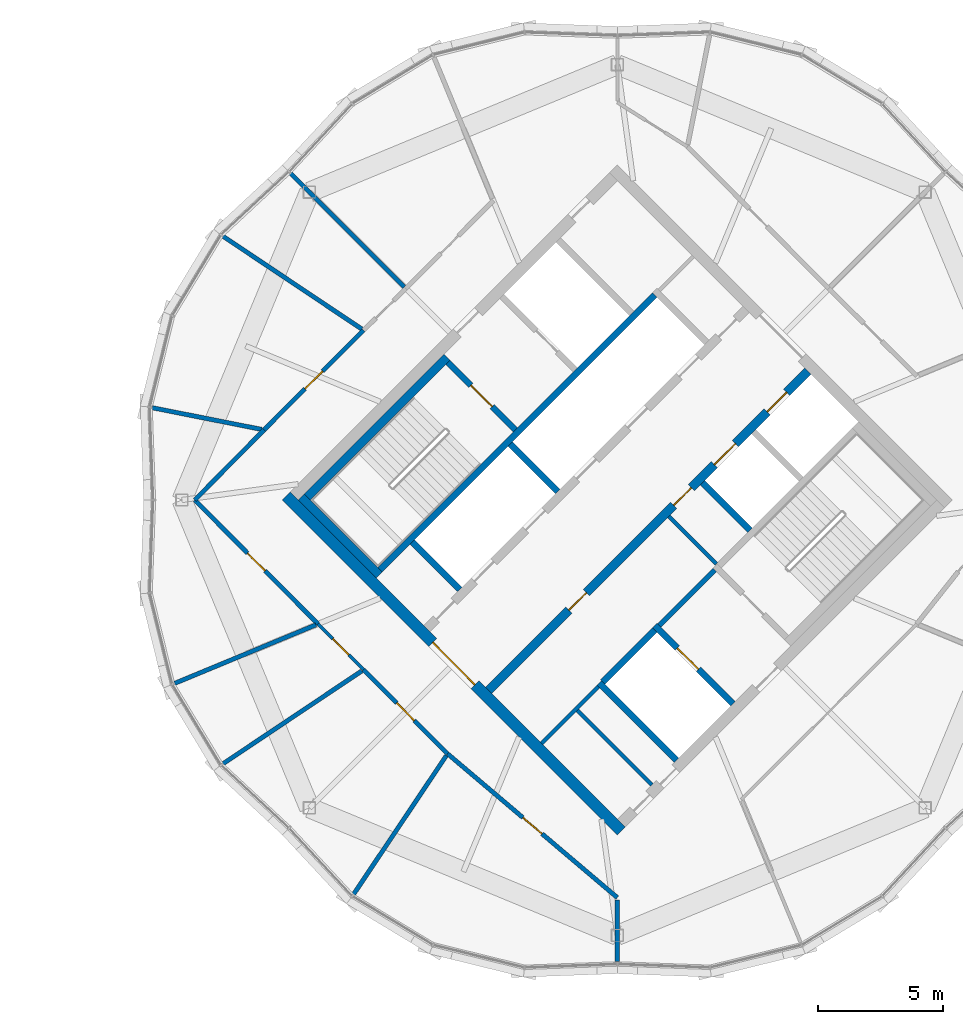
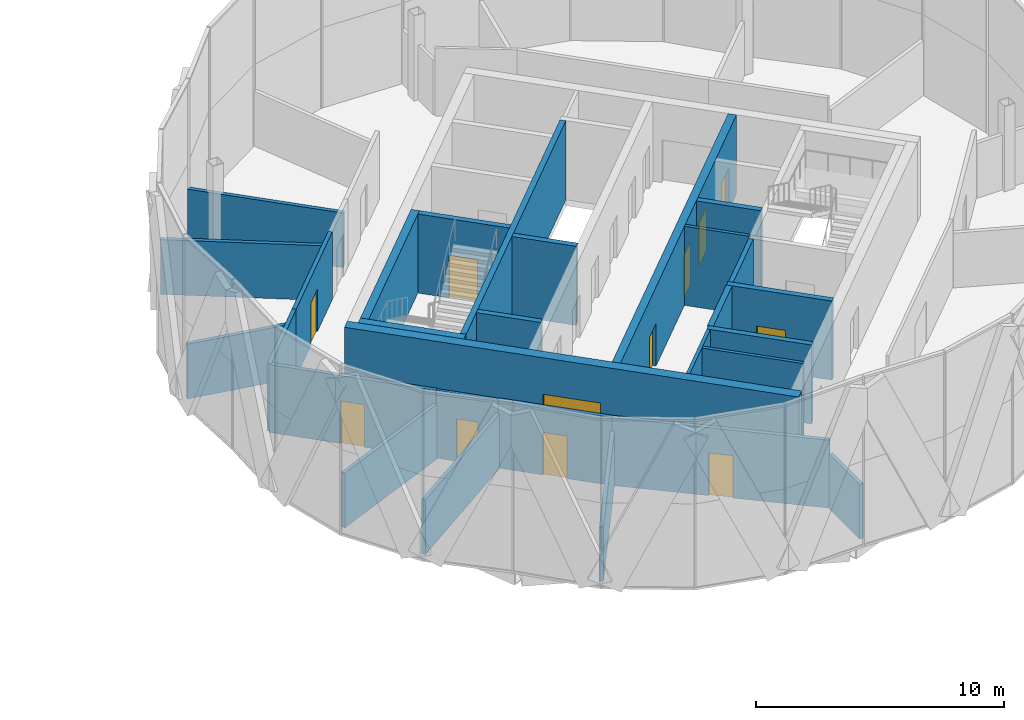
# One storey, part 18 of 24: 29 walls, 12 doors, 12 openings.
"""IFC4 building model written with IfcOpenShell, lengths in metres."""

import ifcopenshell
import ifcopenshell.guid

model = None  # the IFC model being written
_history = None  # IfcOwnerHistory: only IFC2X3 demands one
_inside = {}  # id of a spatial element -> (the spatial element, [elements in it])
_under = {}  # id of a project, library or spatial element -> (it, [spatial elements below it])
_declared = {}  # id of a project -> (the project, [libraries it declares])
_typed = {}  # id of a type object -> (the type object, [elements of that type])
_made_of = {}  # id of a material, layer set ... -> (it, [elements and type objects made of it])


def new_model(schema):
    """Start an empty IFC model of exactly this schema.

    Asked for "IFC4X3", IfcOpenShell would pick the latest addendum, in which some entities
    have other attributes; the version numbers below select the first issue.
    IFC2X3 requires an IfcOwnerHistory on every rooted entity: one is made here for all.
    """
    global model, _history
    if schema == "IFC4X3":
        model = ifcopenshell.file(schema_version=(4, 3, 0, 0))
    else:
        model = ifcopenshell.file(schema=schema)
    _inside.clear()
    _under.clear()
    _declared.clear()
    _typed.clear()
    _made_of.clear()
    _history = None
    if model.schema == "IFC2X3":
        org = make("IfcOrganization", Name="unknown")
        user = make(
            "IfcPersonAndOrganization",
            ThePerson=make("IfcPerson", FamilyName="unknown"),
            TheOrganization=org,
        )
        app = make(
            "IfcApplication",
            ApplicationDeveloper=org,
            Version="unknown",
            ApplicationFullName="unknown",
            ApplicationIdentifier="unknown",
        )
        _history = make(
            "IfcOwnerHistory",
            OwningUser=user,
            OwningApplication=app,
            ChangeAction="ADDED",
            CreationDate=0,
        )
    return model


def make(cls, **values):
    """One entity of the class cls with the attributes given. An attribute that is None is left unset."""
    return model.create_entity(
        cls, **{name: value for name, value in values.items() if value is not None}
    )


def rooted(cls, **values):
    """An entity with a GlobalId (a new one), such as an element, a storey or a relation."""
    return make(cls, GlobalId=ifcopenshell.guid.new(), OwnerHistory=_history, **values)


def si_unit(unit_type, name, prefix=None):
    """IfcSIUnit, for example si_unit("LENGTHUNIT", "METRE", prefix="MILLI")."""
    return make("IfcSIUnit", UnitType=unit_type, Prefix=prefix, Name=name)


def assignment(units):
    """IfcUnitAssignment: the units of a project."""
    return None if units is None else make("IfcUnitAssignment", Units=units)


def point(xyz):
    """IfcCartesianPoint."""
    return None if xyz is None else make("IfcCartesianPoint", Coordinates=xyz)


def direction(xyz):
    """IfcDirection."""
    return None if xyz is None else make("IfcDirection", DirectionRatios=xyz)


def frame(location, z_axis=None, x_axis=None):
    """IfcAxis2Placement3D, a coordinate frame: its origin and axes. An axis left out is left unset."""
    return make(
        "IfcAxis2Placement3D",
        Location=point(location),
        Axis=direction(z_axis),
        RefDirection=direction(x_axis),
    )


def frame_2d(location, x_axis=None):
    """IfcAxis2Placement2D, a coordinate frame in the plane: its origin and x axis."""
    return make(
        "IfcAxis2Placement2D", Location=point(location), RefDirection=direction(x_axis)
    )


def origin():
    """The frame at (0, 0, 0) with its axes left unset."""
    return frame((0.0, 0.0, 0.0))


def place(relative_to, where):
    """IfcLocalPlacement: puts the frame where relative to a parent placement (None: the world)."""
    return make(
        "IfcLocalPlacement", PlacementRelTo=relative_to, RelativePlacement=where
    )


def context(
    kind, dimensions, precision=None, world=None, true_north=None, identifier=None
):
    """IfcGeometricRepresentationContext, for example the 3D "Model" context."""
    return make(
        "IfcGeometricRepresentationContext",
        ContextIdentifier=identifier,
        ContextType=kind,
        CoordinateSpaceDimension=dimensions,
        Precision=precision,
        WorldCoordinateSystem=world,
        TrueNorth=true_north,
    )


def subcontext(parent, identifier, kind, view, scale=None):
    """IfcGeometricRepresentationSubContext, for example "Body" below "Model"."""
    return make(
        "IfcGeometricRepresentationSubContext",
        ContextIdentifier=identifier,
        ContextType=kind,
        ParentContext=parent,
        TargetScale=scale,
        TargetView=view,
    )


def project(units=None, contexts=None):
    """IfcProject with its units and contexts."""
    return rooted(
        "IfcProject",
        Name="project",
        RepresentationContexts=contexts,
        UnitsInContext=assignment(units),
    )


def spatial(cls, under=None, at=None, **own):
    """A site, building, storey or space (cls), placed at a placement, below another one or the project."""
    s = rooted(cls, ObjectPlacement=at, **own)
    if under is not None:
        _under.setdefault(under.id(), (under, []))[1].append(s)
    return s


def profile(cls, at=None, kind="AREA", **sizes):
    """A parametric profile (cls). Its sizes go by their IFC names, for example OverallWidth=200.0."""
    return make(cls, ProfileType=kind, Position=at, **sizes)


def rectangle(**sizes):
    """IfcRectangleProfileDef."""
    return profile("IfcRectangleProfileDef", **sizes)


def extrude(swept, where, along, depth):
    """IfcExtrudedAreaSolid: the profile swept, set in the frame where, extruded along a direction by depth."""
    return make(
        "IfcExtrudedAreaSolid",
        SweptArea=swept,
        Position=where,
        ExtrudedDirection=direction(along),
        Depth=depth,
    )


def shape(context_of_items, identifier, shape_type, items):
    """IfcShapeRepresentation: the items that make up one representation, for example the "Body"."""
    return make(
        "IfcShapeRepresentation",
        ContextOfItems=context_of_items,
        RepresentationIdentifier=identifier,
        RepresentationType=shape_type,
        Items=items,
    )


def material(Name=None, Category=None):
    """IfcMaterial."""
    return make("IfcMaterial", Name=Name, Category=Category)


def layer(
    of_material, thickness, ventilated=None, Name=None, Category=None, Priority=None
):
    """IfcMaterialLayer: one layer of a wall or slab, of a material (None: an air gap)."""
    return make(
        "IfcMaterialLayer",
        Material=of_material,
        LayerThickness=thickness,
        IsVentilated=ventilated,
        Name=Name,
        Category=Category,
        Priority=Priority,
    )


def layer_set(layers, Name=None):
    """IfcMaterialLayerSet."""
    return make("IfcMaterialLayerSet", MaterialLayers=layers, LayerSetName=Name)


def made_of(thing, what):
    """Note that an element or type object is made of a material, layer set ...; save() writes the relation."""
    if what is not None:
        _made_of.setdefault(what.id(), (what, []))[1].append(thing)
    return thing


def type_object(cls, material=None, **own):
    """A type object (cls), such as IfcWallType, which elements share."""
    return made_of(rooted(cls, **own), material)


def element(
    cls,
    number,
    at=None,
    inside=None,
    cuts=None,
    type_object=None,
    material=None,
    context=None,
    identifier="Body",
    shape_type=None,
    held_by="IfcProductDefinitionShape",
    body=None,
    shapes=None,
    **own,
):
    """One element of the class cls, such as IfcWall. Its Tag is "e" and its number.

    at: its placement. inside: the storey or other place that contains it. cuts: it is an
    opening in that element (IfcRelVoidsElement). A single representation is given by context,
    identifier, shape_type and body (its items); several are given by shapes. held_by: the class
    of the entity that holds the representations. save() writes the other relations.
    """
    e = rooted(cls, Tag="e%d" % number, ObjectPlacement=at, **own)
    if body is not None:
        shapes = [shape(context, identifier, shape_type, body)]
    if shapes is not None:
        e.Representation = make(held_by, Representations=shapes)
    if inside is not None:
        _inside.setdefault(inside.id(), (inside, []))[1].append(e)
    if cuts is not None:
        rooted(
            "IfcRelVoidsElement", RelatingBuildingElement=cuts, RelatedOpeningElement=e
        )
    if type_object is not None:
        _typed.setdefault(type_object.id(), (type_object, []))[1].append(e)
    return made_of(e, material)


def fill(opening, filler):
    """IfcRelFillsElement: the door or window that sits in an opening."""
    return rooted(
        "IfcRelFillsElement",
        RelatingOpeningElement=opening,
        RelatedBuildingElement=filler,
    )


def aggregate(whole, parts):
    """IfcRelAggregates: a whole, such as a stair, and the parts it consists of."""
    return rooted("IfcRelAggregates", RelatingObject=whole, RelatedObjects=parts)


def save(model, path):
    """Write the relations noted so far, then the file.

    IfcRelAggregates (storeys below a building ...), IfcRelContainedInSpatialStructure (elements
    in a storey), IfcRelDefinesByType, IfcRelAssociatesMaterial and IfcRelDeclares: one each for
    every whole, place, type object, material and project.
    """
    for whole, parts in _under.values():
        aggregate(whole, parts)
    for where, things in _inside.values():
        rooted(
            "IfcRelContainedInSpatialStructure",
            RelatedElements=things,
            RelatingStructure=where,
        )
    for kind, things in _typed.values():
        rooted("IfcRelDefinesByType", RelatedObjects=things, RelatingType=kind)
    for what, things in _made_of.values():
        rooted("IfcRelAssociatesMaterial", RelatedObjects=things, RelatingMaterial=what)
    for by, libraries in _declared.values():
        rooted("IfcRelDeclares", RelatingContext=by, RelatedDefinitions=libraries)
    model.write(path)


model = new_model("IFC4")

# Units and contexts
model_context = context("Model", 3, precision=1e-05, world=origin(), true_north=direction((0.0, 1.0)))
body_context = subcontext(model_context, "Body", "Model", "MODEL_VIEW")
ifc_project = project(units=[si_unit("LENGTHUNIT", "METRE"), si_unit("AREAUNIT", "SQUARE_METRE"), si_unit("VOLUMEUNIT", "CUBIC_METRE"), si_unit("PLANEANGLEUNIT", "RADIAN"), si_unit("MASSUNIT", "GRAM", prefix="KILO")], contexts=[model_context])

# Site, building, storey
site_placement = place(None, origin())
site = spatial("IfcSite", under=ifc_project, at=site_placement, CompositionType="ELEMENT")
building_placement = place(site_placement, origin())
building = spatial("IfcBuilding", under=site, at=building_placement, Name="Ogive Gate Towers", CompositionType="ELEMENT")
storey_placement = place(building_placement, frame((0.0, 0.0, 277.199951171875)))
storey = spatial("IfcBuildingStorey", under=building, at=storey_placement, Name="L65", CompositionType="ELEMENT", Elevation=277.199951171875)

# Walls
ifc_material_1 = material(Name="Gypsum board acoustic partition")
ifc_layer_1 = layer(ifc_material_1, 0.175048828125)
ifc_layer_set_1 = layer_set([ifc_layer_1], Name="Acoustic partition 175")
wall_type_1 = type_object("IfcWallType", Name="Acoustic partition 175", PredefinedType="PARTITIONING", material=ifc_layer_set_1)
wall_1_placement = place(storey_placement, frame((22.8544921875, 13.1455078125, 0.0), z_axis=(0.0, 0.0, 1.0), x_axis=(0.707106781187, -0.707106781187, 0.0)))
element("IfcWall", 1, at=wall_1_placement, inside=storey, type_object=wall_type_1, Name="Partition T2-L65-007", PredefinedType="PARTITIONING", context=body_context, shape_type="SweptSolid", body=[
    extrude(rectangle(XDim=6.51318359375, YDim=0.175048828125, at=frame_2d((3.256591796875, 0.0))), origin(), (0.0, 0.0, 1.0), 2.699951171875),
])
wall_2_placement = place(storey_placement, frame((20.122314453125, 10.62060546875, 0.0), z_axis=(0.0, 0.0, 1.0), x_axis=(0.831189880974, -0.555988652551, 0.0)))
element("IfcWall", 2, at=wall_2_placement, inside=storey, type_object=wall_type_1, Name="Partition T2-L65-008", PredefinedType="PARTITIONING", context=body_context, shape_type="SweptSolid", body=[
    extrude(rectangle(XDim=6.774169921875, YDim=0.175048828125, at=frame_2d((3.38720703125, 0.0))), origin(), (0.0, 0.0, 1.0), 2.699951171875),
])
wall_3_placement = place(storey_placement, frame((17.35400390625, 3.69921875, 0.0), z_axis=(0.0, 0.0, 1.0), x_axis=(0.980883320756, -0.194596790988, 0.0)))
element("IfcWall", 3, at=wall_3_placement, inside=storey, type_object=wall_type_1, Name="Partition T2-L65-009", PredefinedType="PARTITIONING", context=body_context, shape_type="SweptSolid", body=[
    extrude(rectangle(XDim=4.4814453125, YDim=0.175048828125, at=frame_2d((2.24072265625, 0.0))), origin(), (0.0, 0.0, 1.0), 2.699951171875),
])
wall_4_placement = place(storey_placement, frame((18.252197265625, -7.351318359375, 0.0), z_axis=(0.0, 0.0, 1.0), x_axis=(0.923879494329, 0.382683524544, 0.0)))
element("IfcWall", 4, at=wall_4_placement, inside=storey, type_object=wall_type_1, Name="Partition T2-L65-010", PredefinedType="PARTITIONING", context=body_context, shape_type="SweptSolid", body=[
    extrude(rectangle(XDim=6.131591796875, YDim=0.175048828125, at=frame_2d((3.06591796875, 0.0))), origin(), (0.0, 0.0, 1.0), 2.699951171875),
])
for number, where, z_axis, x_axis, name in (
    (5, (20.122314453125, -10.62060546875, 0.0), (0.0, 0.0, 1.0), (0.831189880974, 0.555988652551, 0.0), "Partition T2-L65-011"),
    (6, (25.37939453125, -15.877685546875, 0.0), (0.0, 0.0, 1.0), (0.555988652551, 0.831189880974, 0.0), "Partition T2-L65-012"),
):
    element("IfcWall", number, at=place(storey_placement, frame(where, z_axis=z_axis, x_axis=x_axis)), inside=storey, type_object=wall_type_1, Name=name, PredefinedType="PARTITIONING", context=body_context, shape_type="SweptSolid", body=[
        extrude(rectangle(XDim=6.774169921875, YDim=0.175048828125, at=frame_2d((3.38720703125, 0.0))), origin(), (0.0, 0.0, 1.0), 2.699951171875),
    ])
wall_5_placement = place(storey_placement, frame((36.0, -18.509033203125, 0.0), z_axis=(0.0, 0.0, 1.0), x_axis=(0.0, 1.0, 0.0)))
element("IfcWall", 7, at=wall_5_placement, inside=storey, type_object=wall_type_1, Name="Partition T2-L65-013", PredefinedType="PARTITIONING", context=body_context, shape_type="SweptSolid", body=[
    extrude(rectangle(XDim=2.4814453125, YDim=0.175048828125, at=frame_2d((1.24072265625, 0.0))), origin(), (0.0, 0.0, 1.0), 2.699951171875),
])

# Wall, opening, door
wall_6_placement = place(storey_placement, frame((25.82568359375, -6.805419921875, 0.0), z_axis=(0.0, 0.0, 1.0), x_axis=(0.707106781187, -0.707106781187, 0.0)))
wall_6 = element("IfcWall", 8, at=wall_6_placement, inside=storey, type_object=wall_type_1, Name="Partition T2-L65-017", PredefinedType="PARTITIONING", context=body_context, shape_type="SweptSolid", body=[
    extrude(rectangle(XDim=4.764404296875, YDim=0.175048828125, at=frame_2d((2.38232421875, 0.0))), origin(), (0.0, 0.0, 1.0), 3.35009765625),
])
opening_1_placement = place(wall_6_placement, frame((1.882080078125, 0.0, 0.0)))
opening_1 = element("IfcOpeningElement", 9, at=opening_1_placement, cuts=wall_6, Name="Opening T2-L65-D02", PredefinedType="OPENING", context=body_context, shape_type="SweptSolid", body=[
    extrude(rectangle(XDim=1.0, YDim=2.10009765625, at=frame_2d((0.5, 1.050048828125))), frame((0.0, 0.09765625, 0.0), z_axis=(0.0, -1.0, 0.0), x_axis=(1.0, 0.0, 0.0)), (0.0, 0.0, 1.0), 0.195068359375),
])
ifc_material_2 = material(Name="Timber door", Category="wood")
door_type_1 = type_object("IfcDoorType", Name="Door 1000", OperationType="NOTDEFINED", PredefinedType="DOOR", material=ifc_material_2)
door_1_placement = place(opening_1_placement, origin())
door_1 = element("IfcDoor", 10, at=door_1_placement, inside=storey, type_object=door_type_1, Name="Door T2-L65-D02", OperationType="SINGLE_SWING_LEFT", OverallHeight=2.10009765625, OverallWidth=1.0, PredefinedType="DOOR", context=body_context, shape_type="SweptSolid", body=[
    extrude(rectangle(XDim=1.0, YDim=2.10009765625, at=frame_2d((0.5, 1.050048828125))), frame((0.0, 0.02490234375, 0.0), z_axis=(0.0, -1.0, 0.0), x_axis=(1.0, 0.0, 0.0)), (0.0, 0.0, 1.0), 0.050048828125),
])
fill(opening_1, door_1)

wall_7_placement = place(storey_placement, frame((29.194580078125, -10.17431640625, 0.0), z_axis=(0.0, 0.0, 1.0), x_axis=(0.762974994931, -0.646427998396, 0.0)))
wall_7 = element("IfcWall", 11, at=wall_7_placement, inside=storey, type_object=wall_type_1, Name="Partition T2-L65-018", PredefinedType="PARTITIONING", context=body_context, shape_type="SweptSolid", body=[
    extrude(rectangle(XDim=8.919677734375, YDim=0.175048828125, at=frame_2d((4.4599609375, 0.0))), origin(), (0.0, 0.0, 1.0), 3.35009765625),
])
opening_2_placement = place(wall_7_placement, frame((3.9599609375, 0.0, 0.0)))
opening_2 = element("IfcOpeningElement", 12, at=opening_2_placement, cuts=wall_7, Name="Opening T2-L65-D03", PredefinedType="OPENING", context=body_context, shape_type="SweptSolid", body=[
    extrude(rectangle(XDim=1.0, YDim=2.10009765625, at=frame_2d((0.5, 1.050048828125))), frame((0.0, 0.09765625, 0.0), z_axis=(0.0, -1.0, 0.0), x_axis=(1.0, 0.0, 0.0)), (0.0, 0.0, 1.0), 0.195068359375),
])
door_2_placement = place(opening_2_placement, origin())
door_2 = element("IfcDoor", 13, at=door_2_placement, inside=storey, type_object=door_type_1, Name="Door T2-L65-D03", OperationType="SINGLE_SWING_LEFT", OverallHeight=2.10009765625, OverallWidth=1.0, PredefinedType="DOOR", context=body_context, shape_type="SweptSolid", body=[
    extrude(rectangle(XDim=1.0, YDim=2.10009765625, at=frame_2d((0.5, 1.050048828125))), frame((0.0, 0.02490234375, 0.0), z_axis=(0.0, -1.0, 0.0), x_axis=(1.0, 0.0, 0.0)), (0.0, 0.0, 1.0), 0.050048828125),
])
fill(opening_2, door_2)

wall_8_placement = place(storey_placement, frame((25.82568359375, 6.805419921875, 0.0), z_axis=(0.0, 0.0, 1.0), x_axis=(-0.706674273643, -0.707539024345, 0.0)))
wall_8 = element("IfcWall", 14, at=wall_8_placement, inside=storey, type_object=wall_type_1, Name="Partition T2-L65-026", PredefinedType="PARTITIONING", context=body_context, shape_type="SweptSolid", body=[
    extrude(rectangle(XDim=5.646484375, YDim=0.175048828125, at=frame_2d((2.8232421875, 0.0))), origin(), (0.0, 0.0, 1.0), 3.35009765625),
])
opening_3_placement = place(wall_8_placement, frame((2.322998046875, 0.0, 0.0)))
opening_3 = element("IfcOpeningElement", 15, at=opening_3_placement, cuts=wall_8, Name="Opening T2-L65-D11", PredefinedType="OPENING", context=body_context, shape_type="SweptSolid", body=[
    extrude(rectangle(XDim=1.0, YDim=2.10009765625, at=frame_2d((0.5, 1.050048828125))), frame((0.0, 0.09765625, 0.0), z_axis=(0.0, -1.0, 0.0), x_axis=(1.0, 0.0, 0.0)), (0.0, 0.0, 1.0), 0.195068359375),
])
door_3_placement = place(opening_3_placement, origin())
door_3 = element("IfcDoor", 16, at=door_3_placement, inside=storey, type_object=door_type_1, Name="Door T2-L65-D11", OperationType="SINGLE_SWING_LEFT", OverallHeight=2.10009765625, OverallWidth=1.0, PredefinedType="DOOR", context=body_context, shape_type="SweptSolid", body=[
    extrude(rectangle(XDim=1.0, YDim=2.10009765625, at=frame_2d((0.5, 1.050048828125))), frame((0.0, 0.02490234375, 0.0), z_axis=(0.0, -1.0, 0.0), x_axis=(1.0, 0.0, 0.0)), (0.0, 0.0, 1.0), 0.050048828125),
])
fill(opening_3, door_3)

wall_9_placement = place(storey_placement, frame((19.0576171875, 0.0, 0.0), z_axis=(0.0, 0.0, 1.0), x_axis=(0.704873865786, -0.709332667605, 0.0)))
wall_9 = element("IfcWall", 17, at=wall_9_placement, inside=storey, type_object=wall_type_1, Name="Partition T2-L65-027", PredefinedType="PARTITIONING", context=body_context, shape_type="SweptSolid", body=[
    extrude(rectangle(XDim=7.008544921875, YDim=0.175048828125, at=frame_2d((3.50439453125, 0.0))), origin(), (0.0, 0.0, 1.0), 3.35009765625),
])
opening_4_placement = place(wall_9_placement, frame((3.00390625, 0.0, 0.0)))
opening_4 = element("IfcOpeningElement", 18, at=opening_4_placement, cuts=wall_9, Name="Opening T2-L65-D12", PredefinedType="OPENING", context=body_context, shape_type="SweptSolid", body=[
    extrude(rectangle(XDim=1.0, YDim=2.10009765625, at=frame_2d((0.5, 1.050048828125))), frame((0.0, 0.09765625, 0.0), z_axis=(0.0, -1.0, 0.0), x_axis=(1.0, 0.0, 0.0)), (0.0, 0.0, 1.0), 0.195068359375),
])
door_4_placement = place(opening_4_placement, origin())
door_4 = element("IfcDoor", 19, at=door_4_placement, inside=storey, type_object=door_type_1, Name="Door T2-L65-D12", OperationType="SINGLE_SWING_LEFT", OverallHeight=2.10009765625, OverallWidth=1.0, PredefinedType="DOOR", context=body_context, shape_type="SweptSolid", body=[
    extrude(rectangle(XDim=1.0, YDim=2.10009765625, at=frame_2d((0.5, 1.050048828125))), frame((0.0, 0.02490234375, 0.0), z_axis=(0.0, -1.0, 0.0), x_axis=(1.0, 0.0, 0.0)), (0.0, 0.0, 1.0), 0.050048828125),
])
fill(opening_4, door_4)

# Walls
wall_10_placement = place(storey_placement, frame((21.83544921875, 2.810302734375, 0.0), z_axis=(0.0, 0.0, 1.0), x_axis=(-0.702986162579, -0.711203525879, 0.0)))
element("IfcWall", 20, at=wall_10_placement, inside=storey, type_object=wall_type_1, Name="Partition T2-L65-028", PredefinedType="PARTITIONING", context=body_context, shape_type="SweptSolid", body=[
    extrude(rectangle(XDim=3.951416015625, YDim=0.175048828125, at=frame_2d((1.9755859375, 0.0))), origin(), (0.0, 0.0, 1.0), 3.35009765625),
])
ifc_material_3 = material(Name="Masonry blockwork", Category="masonry")
ifc_layer_2 = layer(ifc_material_3, 0.199951171875)
ifc_layer_set_2 = layer_set([ifc_layer_2], Name="Blockwork wall 200 mm")
wall_type_2 = type_object("IfcWallType", Name="Blockwork wall 200 mm", PredefinedType="PARTITIONING", material=ifc_layer_set_2)
wall_11_placement = place(storey_placement, frame((37.679443359375, -5.0380859375, 0.0), z_axis=(0.0, 0.0, 1.0), x_axis=(0.707106781187, 0.707106781187, 0.0)))
element("IfcWall", 21, at=wall_11_placement, inside=storey, type_object=wall_type_2, Name="T2 L65 Blockwork wall 200 mm", PredefinedType="PARTITIONING", context=body_context, shape_type="SweptSolid", body=[
    extrude(rectangle(XDim=3.14990234375, YDim=0.199951171875, at=frame_2d((1.574951171875, 0.0))), origin(), (0.0, 0.0, 1.0), 3.900146484375),
])

# Wall, opening, door
ifc_material_4 = material(Name="Concrete C60/75", Category="concrete")
ifc_layer_3 = layer(ifc_material_4, 0.449951171875)
ifc_layer_set_3 = layer_set([ifc_layer_3], Name="Core wall 450 mm")
wall_type_3 = type_object("IfcWallType", Name="Core wall 450 mm", PredefinedType="SHEAR", material=ifc_layer_set_3)
wall_12_placement = place(storey_placement, frame((36.1591796875, -13.27587890625, 0.0), z_axis=(0.0, 0.0, 1.0), x_axis=(-0.707106781187, 0.707106781187, 0.0)))
wall_12 = element("IfcWall", 22, at=wall_12_placement, inside=storey, type_object=wall_type_3, Name="T2 L65 Core wall 450 mm", PredefinedType="SHEAR", context=body_context, shape_type="SweptSolid", body=[
    extrude(rectangle(XDim=19.0, YDim=0.449951171875, at=frame_2d((9.5, 0.0))), origin(), (0.0, 0.0, 1.0), 3.900146484375),
])
opening_5_placement = place(wall_12_placement, frame((8.300048828125, 0.0, 0.0)))
opening_5 = element("IfcOpeningElement", 23, at=opening_5_placement, cuts=wall_12, Name="Opening KD-T2-L65-01", PredefinedType="OPENING", context=body_context, shape_type="SweptSolid", body=[
    extrude(rectangle(XDim=2.39990234375, YDim=2.10009765625, at=frame_2d((1.199951171875, 1.050048828125))), frame((0.0, 0.23486328125, 0.0), z_axis=(0.0, -1.0, 0.0), x_axis=(1.0, 0.0, 0.0)), (0.0, 0.0, 1.0), 0.469970703125),
])
ifc_material_5 = material(Name="Steel fire door", Category="steel")
door_type_2 = type_object("IfcDoorType", Name="Core double door FD60S 2400 x 2100", OperationType="DOUBLE_DOOR_SINGLE_SWING", PredefinedType="DOOR", material=ifc_material_5)
door_5_placement = place(opening_5_placement, origin())
door_5 = element("IfcDoor", 24, at=door_5_placement, inside=storey, type_object=door_type_2, Name="T2 L65 Core door double", OperationType="DOUBLE_DOOR_SINGLE_SWING", OverallHeight=2.10009765625, OverallWidth=2.39990234375, PredefinedType="DOOR", context=body_context, shape_type="SweptSolid", body=[
    extrude(rectangle(XDim=2.39990234375, YDim=2.10009765625, at=frame_2d((1.199951171875, 1.050048828125))), frame((0.0, 0.02490234375, 0.0), z_axis=(0.0, -1.0, 0.0), x_axis=(1.0, 0.0, 0.0)), (0.0, 0.0, 1.0), 0.050048828125),
])
fill(opening_5, door_5)

ifc_material_6 = material(Name="Gypsum board partition")
ifc_layer_4 = layer(ifc_material_6, 0.125)
ifc_layer_set_4 = layer_set([ifc_layer_4], Name="Partition 125")
wall_type_4 = type_object("IfcWallType", Name="Partition 125", PredefinedType="PARTITIONING", material=ifc_layer_set_4)
wall_13_placement = place(storey_placement, frame((23.997802734375, -4.971435546875, 0.0), z_axis=(0.0, 0.0, 1.0), x_axis=(0.705927210727, -0.708284387202, 0.0)))
wall_13 = element("IfcWall", 25, at=wall_13_placement, inside=storey, type_object=wall_type_4, Name="Partition T2-L65-016", PredefinedType="PARTITIONING", context=body_context, shape_type="SweptSolid", body=[
    extrude(rectangle(XDim=2.58935546875, YDim=0.125, at=frame_2d((1.294677734375, 0.0))), origin(), (0.0, 0.0, 1.0), 3.35009765625),
])
opening_6_placement = place(wall_13_placement, frame((0.844970703125, 0.0, 0.0)))
opening_6 = element("IfcOpeningElement", 26, at=opening_6_placement, cuts=wall_13, Name="Opening T2-L65-D01", PredefinedType="OPENING", context=body_context, shape_type="SweptSolid", body=[
    extrude(rectangle(XDim=0.89990234375, YDim=2.10009765625, at=frame_2d((0.449951171875, 1.050048828125))), frame((0.0, 0.072509765625, 0.0), z_axis=(0.0, -1.0, 0.0), x_axis=(1.0, 0.0, 0.0)), (0.0, 0.0, 1.0), 0.14501953125),
])
door_type_3 = type_object("IfcDoorType", Name="Door 900", OperationType="NOTDEFINED", PredefinedType="DOOR", material=ifc_material_2)
door_6_placement = place(opening_6_placement, origin())
door_6 = element("IfcDoor", 27, at=door_6_placement, inside=storey, type_object=door_type_3, Name="Door T2-L65-D01", OperationType="SINGLE_SWING_LEFT", OverallHeight=2.10009765625, OverallWidth=0.89990234375, PredefinedType="DOOR", context=body_context, shape_type="SweptSolid", body=[
    extrude(rectangle(XDim=0.89990234375, YDim=2.10009765625, at=frame_2d((0.449951171875, 1.050048828125))), frame((0.0, 0.02490234375, 0.0), z_axis=(0.0, -1.0, 0.0), x_axis=(1.0, 0.0, 0.0)), (0.0, 0.0, 1.0), 0.050048828125),
])
fill(opening_6, door_6)

# Walls
ifc_layer_5 = layer(ifc_material_6, 0.14990234375)
ifc_layer_set_5 = layer_set([ifc_layer_5], Name="Room partition 150 mm")
wall_type_5 = type_object("IfcWallType", Name="Room partition 150 mm", PredefinedType="PARTITIONING", material=ifc_layer_set_5)
wall_14_placement = place(storey_placement, frame((32.95947265625, -9.758056640625, 0.0), z_axis=(0.0, 0.0, 1.0), x_axis=(0.707144631829, 0.707068928518, 0.0)))
element("IfcWall", 28, at=wall_14_placement, inside=storey, type_object=wall_type_5, Name="T2 L65 Room partition 150 mm", PredefinedType="PARTITIONING", context=body_context, shape_type="SweptSolid", body=[
    extrude(rectangle(XDim=3.224853515625, YDim=0.14990234375, at=frame_2d((1.6123046875, 0.0))), origin(), (0.0, 0.0, 1.0), 3.900146484375),
])
wall_15_placement = place(storey_placement, frame((37.37890625, -11.419921875, 0.0), z_axis=(0.0, 0.0, 1.0), x_axis=(-0.707077889614, 0.707135671578, 0.0)))
element("IfcWall", 29, at=wall_15_placement, inside=storey, type_object=wall_type_5, Name="T2 L65 Room partition 150 mm", PredefinedType="PARTITIONING", context=body_context, shape_type="SweptSolid", body=[
    extrude(rectangle(XDim=4.22509765625, YDim=0.14990234375, at=frame_2d((2.112548828125, 0.0))), origin(), (0.0, 0.0, 1.0), 3.900146484375),
])
wall_16_placement = place(storey_placement, frame((39.9775390625, -2.563232421875, 0.0), z_axis=(0.0, 0.0, 1.0), x_axis=(-0.707106781187, 0.707106781187, 0.0)))
element("IfcWall", 30, at=wall_16_placement, inside=storey, type_object=wall_type_5, Name="T2 L65 Room partition 150 mm", PredefinedType="PARTITIONING", context=body_context, shape_type="SweptSolid", body=[
    extrude(rectangle(XDim=2.699951171875, YDim=0.14990234375, at=frame_2d((1.35009765625, 0.0))), origin(), (0.0, 0.0, 1.0), 3.900146484375),
])
ifc_layer_6 = layer(ifc_material_4, 0.25)
ifc_layer_set_6 = layer_set([ifc_layer_6], Name="Shaft wall 250 mm")
wall_type_6 = type_object("IfcWallType", Name="Shaft wall 250 mm", PredefinedType="SHEAR", material=ifc_layer_set_6)
wall_17_placement = place(storey_placement, frame((35.41650390625, -7.30078125, 0.0), z_axis=(0.0, 0.0, 1.0), x_axis=(0.707148157867, 0.707065402085, 0.0)))
element("IfcWall", 31, at=wall_17_placement, inside=storey, type_object=wall_type_6, Name="T2 L65 Shaft wall 250 mm", PredefinedType="SHEAR", context=body_context, shape_type="SweptSolid", body=[
    extrude(rectangle(XDim=2.9501953125, YDim=0.25, at=frame_2d((1.47509765625, 0.0))), origin(), (0.0, 0.0, 1.0), 3.900146484375),
])
wall_18_placement = place(storey_placement, frame((26.489501953125, -2.793212890625, 0.0), z_axis=(0.0, 0.0, 1.0), x_axis=(0.707098943647, 0.70711461864, 0.0)))
element("IfcWall", 32, at=wall_18_placement, inside=storey, type_object=wall_type_6, Name="T2 L65 Shaft wall 250 mm", PredefinedType="SHEAR", context=body_context, shape_type="SweptSolid", body=[
    extrude(rectangle(XDim=15.5751953125, YDim=0.25, at=frame_2d((7.78759765625, 0.0))), origin(), (0.0, 0.0, 1.0), 3.900146484375),
])
wall_19_placement = place(storey_placement, frame((29.689208984375, -3.588623046875, 0.0), z_axis=(0.0, 0.0, 1.0), x_axis=(-0.707151988282, 0.707061571201, 0.0)))
element("IfcWall", 33, at=wall_19_placement, inside=storey, type_object=wall_type_6, Name="T2 L65 Shaft wall 250 mm", PredefinedType="SHEAR", context=body_context, shape_type="SweptSolid", body=[
    extrude(rectangle(XDim=2.7001953125, YDim=0.25, at=frame_2d((1.35009765625, 0.0))), origin(), (0.0, 0.0, 1.0), 3.900146484375),
])
wall_20_placement = place(storey_placement, frame((38.368896484375, -10.4296875, 0.0), z_axis=(0.0, 0.0, 1.0), x_axis=(-0.707134682099, 0.707078879173, 0.0)))
element("IfcWall", 34, at=wall_20_placement, inside=storey, type_object=wall_type_6, Name="T2 L65 Shaft wall 250 mm", PredefinedType="SHEAR", context=body_context, shape_type="SweptSolid", body=[
    extrude(rectangle(XDim=4.375, YDim=0.25, at=frame_2d((2.1875, 0.0))), origin(), (0.0, 0.0, 1.0), 3.900146484375),
])

# Wall, opening, door
wall_21_placement = place(storey_placement, frame((40.631591796875, -8.1669921875, 0.0), z_axis=(0.0, 0.0, 1.0), x_axis=(-0.707106781187, 0.707106781187, 0.0)))
wall_21 = element("IfcWall", 35, at=wall_21_placement, inside=storey, type_object=wall_type_6, Name="T2 L65 Shaft wall 250 mm", PredefinedType="SHEAR", context=body_context, shape_type="SweptSolid", body=[
    extrude(rectangle(XDim=4.425048828125, YDim=0.25, at=frame_2d((2.21240234375, 0.0))), origin(), (0.0, 0.0, 1.0), 3.900146484375),
])
opening_7_placement = place(wall_21_placement, frame((1.949951171875, 0.0, 0.0)))
opening_7 = element("IfcOpeningElement", 36, at=opening_7_placement, cuts=wall_21, Name="Opening LD-T2-L65-13", PredefinedType="OPENING", context=body_context, shape_type="SweptSolid", body=[
    extrude(rectangle(XDim=1.199951171875, YDim=2.10009765625, at=frame_2d((0.60009765625, 1.050048828125))), frame((0.0, 0.135009765625, 0.0), z_axis=(0.0, -1.0, 0.0), x_axis=(1.0, 0.0, 0.0)), (0.0, 0.0, 1.0), 0.27001953125),
])
ifc_material_7 = material(Name="Stainless steel landing door", Category="steel")
door_type_4 = type_object("IfcDoorType", Name="Landing door 1200 x 2100", OperationType="SLIDING_TO_LEFT", PredefinedType="DOOR", material=ifc_material_7)
door_7_placement = place(opening_7_placement, origin())
door_7 = element("IfcDoor", 37, at=door_7_placement, inside=storey, type_object=door_type_4, Name="T2 L65 Lift landing door FF2", OperationType="SLIDING_TO_LEFT", OverallHeight=2.10009765625, OverallWidth=1.199951171875, PredefinedType="DOOR", context=body_context, shape_type="SweptSolid", body=[
    extrude(rectangle(XDim=1.199951171875, YDim=2.10009765625, at=frame_2d((0.60009765625, 1.050048828125))), frame((0.0, 0.02490234375, 0.0), z_axis=(0.0, -1.0, 0.0), x_axis=(1.0, 0.0, 0.0)), (0.0, 0.0, 1.0), 0.050048828125),
])
fill(opening_7, door_7)

# Wall
wall_22_placement = place(storey_placement, frame((33.613525390625, 0.3359375, 0.0), z_axis=(0.0, 0.0, 1.0), x_axis=(-0.707106781187, 0.707106781187, 0.0)))
element("IfcWall", 38, at=wall_22_placement, inside=storey, type_object=wall_type_6, Name="T2 L65 Shaft wall 250 mm", PredefinedType="SHEAR", context=body_context, shape_type="SweptSolid", body=[
    extrude(rectangle(XDim=2.699951171875, YDim=0.25, at=frame_2d((1.35009765625, 0.0))), origin(), (0.0, 0.0, 1.0), 3.900146484375),
])

# Wall, opening, door
wall_23_placement = place(storey_placement, frame((31.91650390625, 2.810791015625, 0.0), z_axis=(0.0, 0.0, 1.0), x_axis=(-0.707106781187, 0.707106781187, 0.0)))
wall_23 = element("IfcWall", 39, at=wall_23_placement, inside=storey, type_object=wall_type_6, Name="T2 L65 Shaft wall 250 mm", PredefinedType="SHEAR", context=body_context, shape_type="SweptSolid", body=[
    extrude(rectangle(XDim=3.824951171875, YDim=0.25, at=frame_2d((1.91259765625, 0.0))), origin(), (0.0, 0.0, 1.0), 3.900146484375),
])
opening_8_placement = place(wall_23_placement, frame((1.324951171875, 0.0, 0.0)))
opening_8 = element("IfcOpeningElement", 40, at=opening_8_placement, cuts=wall_23, Name="Opening KD-T2-L65-16", PredefinedType="OPENING", context=body_context, shape_type="SweptSolid", body=[
    extrude(rectangle(XDim=1.199951171875, YDim=2.10009765625, at=frame_2d((0.60009765625, 1.050048828125))), frame((0.0, 0.135009765625, 0.0), z_axis=(0.0, -1.0, 0.0), x_axis=(1.0, 0.0, 0.0)), (0.0, 0.0, 1.0), 0.27001953125),
])
door_type_5 = type_object("IfcDoorType", Name="Core door FD60S 1200 x 2100", OperationType="NOTDEFINED", PredefinedType="DOOR", material=ifc_material_5)
door_8_placement = place(opening_8_placement, origin())
door_8 = element("IfcDoor", 41, at=door_8_placement, inside=storey, type_object=door_type_5, Name="T2 L65 Stair door", OperationType="SINGLE_SWING_LEFT", OverallHeight=2.10009765625, OverallWidth=1.199951171875, PredefinedType="DOOR", context=body_context, shape_type="SweptSolid", body=[
    extrude(rectangle(XDim=1.199951171875, YDim=2.10009765625, at=frame_2d((0.60009765625, 1.050048828125))), frame((0.0, 0.02490234375, 0.0), z_axis=(0.0, -1.0, 0.0), x_axis=(1.0, 0.0, 0.0)), (0.0, 0.0, 1.0), 0.050048828125),
])
fill(opening_8, door_8)

# Wall
wall_24_placement = place(storey_placement, frame((41.321044921875, -1.2197265625, 0.0), z_axis=(0.0, 0.0, 1.0), x_axis=(-0.707106781187, 0.707106781187, 0.0)))
element("IfcWall", 42, at=wall_24_placement, inside=storey, type_object=wall_type_6, Name="T2 L65 Shaft wall 250 mm", PredefinedType="SHEAR", context=body_context, shape_type="SweptSolid", body=[
    extrude(rectangle(XDim=2.699951171875, YDim=0.25, at=frame_2d((1.35009765625, 0.0))), origin(), (0.0, 0.0, 1.0), 3.900146484375),
])

# Wall, openings, doors
ifc_layer_7 = layer(ifc_material_4, 0.35009765625)
ifc_layer_set_7 = layer_set([ifc_layer_7], Name="Spine wall 350 mm")
wall_type_7 = type_object("IfcWallType", Name="Spine wall 350 mm", PredefinedType="SHEAR", material=ifc_layer_set_7)
wall_25_placement = place(storey_placement, frame((30.838134765625, -7.63671875, 0.0), z_axis=(0.0, 0.0, 1.0), x_axis=(0.707106781187, 0.707106781187, 0.0)))
wall_25 = element("IfcWall", 43, at=wall_25_placement, inside=storey, type_object=wall_type_7, Name="T2 L65 Spine wall 350 mm", PredefinedType="SHEAR", context=body_context, shape_type="SweptSolid", body=[
    extrude(rectangle(XDim=18.099853515625, YDim=0.35009765625, at=frame_2d((9.0498046875, 0.0))), origin(), (0.0, 0.0, 1.0), 3.900146484375),
])
opening_9_placement = place(wall_25_placement, frame((12.800048828125, 0.0, 0.0)))
opening_9 = element("IfcOpeningElement", 44, at=opening_9_placement, cuts=wall_25, Name="Opening LD-T2-L65-10", PredefinedType="OPENING", context=body_context, shape_type="SweptSolid", body=[
    extrude(rectangle(XDim=1.199951171875, YDim=2.10009765625, at=frame_2d((0.60009765625, 1.050048828125))), frame((0.0, 0.18505859375, 0.0), z_axis=(0.0, -1.0, 0.0), x_axis=(1.0, 0.0, 0.0)), (0.0, 0.0, 1.0), 0.3701171875),
])
opening_10_placement = place(wall_25_placement, frame((15.800048828125, 0.0, 0.0)))
opening_10 = element("IfcOpeningElement", 45, at=opening_10_placement, cuts=wall_25, Name="Opening LD-T2-L65-11", PredefinedType="OPENING", context=body_context, shape_type="SweptSolid", body=[
    extrude(rectangle(XDim=1.10009765625, YDim=2.10009765625, at=frame_2d((0.550048828125, 1.050048828125))), frame((0.0, 0.18505859375, 0.0), z_axis=(0.0, -1.0, 0.0), x_axis=(1.0, 0.0, 0.0)), (0.0, 0.0, 1.0), 0.3701171875),
])
opening_11_placement = place(wall_25_placement, frame((4.550048828125, 0.0, 0.0)))
opening_11 = element("IfcOpeningElement", 46, at=opening_11_placement, cuts=wall_25, Name="Opening KD-T2-L65-14", PredefinedType="OPENING", context=body_context, shape_type="SweptSolid", body=[
    extrude(rectangle(XDim=1.0, YDim=2.10009765625, at=frame_2d((0.5, 1.050048828125))), frame((0.0, 0.18505859375, 0.0), z_axis=(0.0, -1.0, 0.0), x_axis=(1.0, 0.0, 0.0)), (0.0, 0.0, 1.0), 0.3701171875),
])
opening_12_placement = place(wall_25_placement, frame((10.5, 0.0, 0.0)))
opening_12 = element("IfcOpeningElement", 47, at=opening_12_placement, cuts=wall_25, Name="Opening KD-T2-L65-15", PredefinedType="OPENING", context=body_context, shape_type="SweptSolid", body=[
    extrude(rectangle(XDim=1.0, YDim=2.10009765625, at=frame_2d((0.5, 1.050048828125))), frame((0.0, 0.18505859375, 0.0), z_axis=(0.0, -1.0, 0.0), x_axis=(1.0, 0.0, 0.0)), (0.0, 0.0, 1.0), 0.3701171875),
])
door_type_6 = type_object("IfcDoorType", Name="Core door FD60S 1000 x 2100", OperationType="NOTDEFINED", PredefinedType="DOOR", material=ifc_material_5)
door_9_placement = place(opening_11_placement, origin())
door_9 = element("IfcDoor", 48, at=door_9_placement, inside=storey, type_object=door_type_6, Name="T2 L65 Core door", OperationType="SINGLE_SWING_LEFT", OverallHeight=2.10009765625, OverallWidth=1.0, PredefinedType="DOOR", context=body_context, shape_type="SweptSolid", body=[
    extrude(rectangle(XDim=1.0, YDim=2.10009765625, at=frame_2d((0.5, 1.050048828125))), frame((0.0, 0.02490234375, 0.0), z_axis=(0.0, -1.0, 0.0), x_axis=(1.0, 0.0, 0.0)), (0.0, 0.0, 1.0), 0.050048828125),
])
fill(opening_11, door_9)
door_10_placement = place(opening_12_placement, origin())
door_10 = element("IfcDoor", 49, at=door_10_placement, inside=storey, type_object=door_type_6, Name="T2 L65 Core door", OperationType="SINGLE_SWING_RIGHT", OverallHeight=2.10009765625, OverallWidth=1.0, PredefinedType="DOOR", context=body_context, shape_type="SweptSolid", body=[
    extrude(rectangle(XDim=1.0, YDim=2.10009765625, at=frame_2d((0.5, 1.050048828125))), frame((0.0, 0.02490234375, 0.0), z_axis=(0.0, -1.0, 0.0), x_axis=(1.0, 0.0, 0.0)), (0.0, 0.0, 1.0), 0.050048828125),
])
fill(opening_12, door_10)
door_type_7 = type_object("IfcDoorType", Name="Landing door 1100 x 2100", OperationType="SLIDING_TO_LEFT", PredefinedType="DOOR", material=ifc_material_7)
door_11_placement = place(opening_10_placement, origin())
door_11 = element("IfcDoor", 50, at=door_11_placement, inside=storey, type_object=door_type_7, Name="T2 L65 Lift landing door B6", OperationType="SLIDING_TO_LEFT", OverallHeight=2.10009765625, OverallWidth=1.10009765625, PredefinedType="DOOR", context=body_context, shape_type="SweptSolid", body=[
    extrude(rectangle(XDim=1.10009765625, YDim=2.10009765625, at=frame_2d((0.550048828125, 1.050048828125))), frame((0.0, 0.02490234375, 0.0), z_axis=(0.0, -1.0, 0.0), x_axis=(1.0, 0.0, 0.0)), (0.0, 0.0, 1.0), 0.050048828125),
])
fill(opening_10, door_11)
door_12_placement = place(opening_9_placement, origin())
door_12 = element("IfcDoor", 51, at=door_12_placement, inside=storey, type_object=door_type_4, Name="T2 L65 Lift landing door SVC", OperationType="SLIDING_TO_LEFT", OverallHeight=2.10009765625, OverallWidth=1.199951171875, PredefinedType="DOOR", context=body_context, shape_type="SweptSolid", body=[
    extrude(rectangle(XDim=1.199951171875, YDim=2.10009765625, at=frame_2d((0.60009765625, 1.050048828125))), frame((0.0, 0.02490234375, 0.0), z_axis=(0.0, -1.0, 0.0), x_axis=(1.0, 0.0, 0.0)), (0.0, 0.0, 1.0), 0.050048828125),
])
fill(opening_9, door_12)

# Walls
ifc_layer_8 = layer(ifc_material_4, 0.35009765625)
ifc_layer_set_8 = layer_set([ifc_layer_8], Name="Stair wall 350 mm")
wall_type_8 = type_object("IfcWallType", Name="Stair wall 350 mm", PredefinedType="SHEAR", material=ifc_layer_set_8)
wall_26_placement = place(storey_placement, frame((23.572509765625, 0.123779296875, 0.0), z_axis=(0.0, 0.0, 1.0), x_axis=(0.707122184046, 0.707091377991, 0.0)))
element("IfcWall", 52, at=wall_26_placement, inside=storey, type_object=wall_type_8, Name="T2 L65 Stair wall 350 mm", PredefinedType="SHEAR", context=body_context, shape_type="SweptSolid", body=[
    extrude(rectangle(XDim=7.925048828125, YDim=0.35009765625, at=frame_2d((3.96240234375, 0.0))), origin(), (0.0, 0.0, 1.0), 3.900146484375),
])
wall_27_placement = place(storey_placement, frame((26.4541015625, -3.005126953125, 0.0), z_axis=(0.0, 0.0, 1.0), x_axis=(-0.707106781187, 0.707106781187, 0.0)))
element("IfcWall", 53, at=wall_27_placement, inside=storey, type_object=wall_type_8, Name="T2 L65 Stair wall 350 mm", PredefinedType="SHEAR", context=body_context, shape_type="SweptSolid", body=[
    extrude(rectangle(XDim=4.425048828125, YDim=0.35009765625, at=frame_2d((2.21240234375, 0.0))), origin(), (0.0, 0.0, 1.0), 3.900146484375),
])

save(model, "model.ifc")
